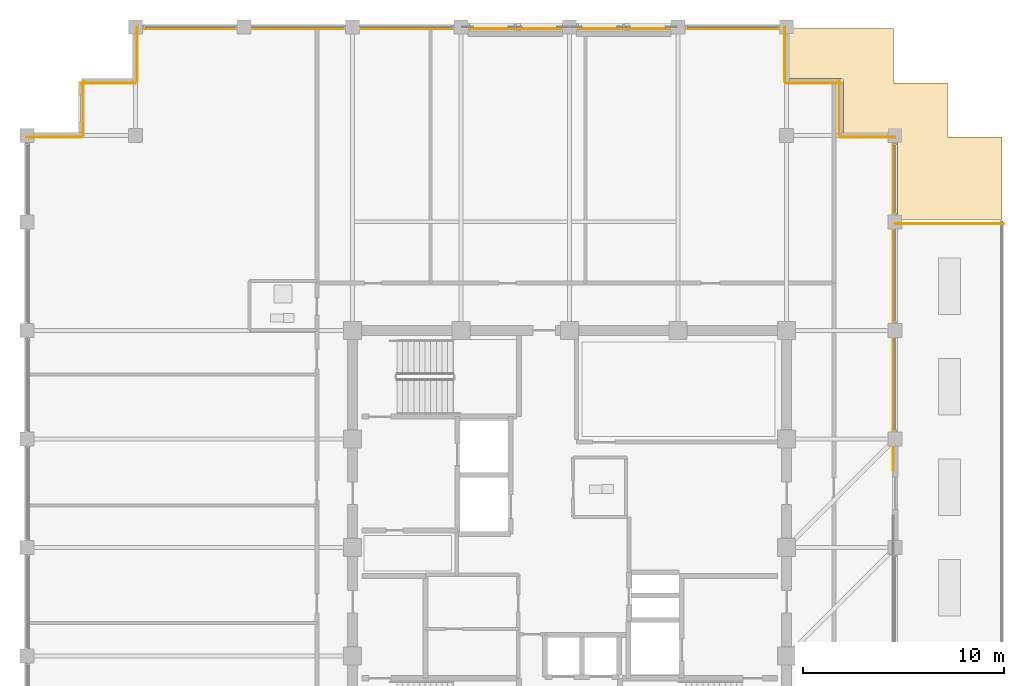
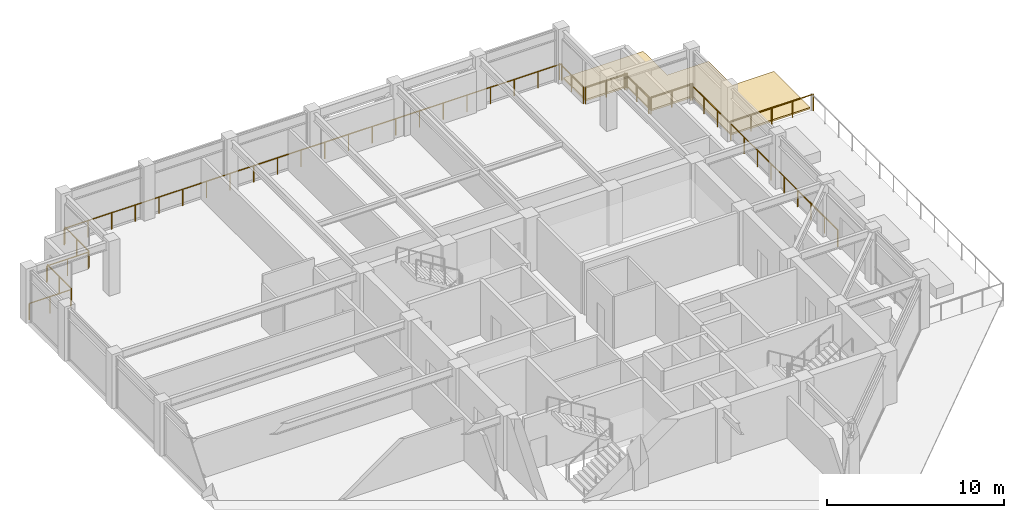
# One storey, part 32 of 34: 11 railings, 1 covering.
"""IFC4 building model written with IfcOpenShell, lengths in metres."""

from ifc_helpers import new_model, si_unit, direction, frame, origin, origin_2d, place, context, subcontext, project, spatial, polyline, circle, outline, extrude, material, layer, layer_set, type_object, element, save


model = new_model("IFC4")

# Units and contexts
model_context = context("Model", 3, precision=1e-05, world=origin(), true_north=direction((0.0, 1.0)))
body_context = subcontext(model_context, "Body", "Model", "MODEL_VIEW")
ifc_project = project(units=[si_unit("LENGTHUNIT", "METRE"), si_unit("AREAUNIT", "SQUARE_METRE"), si_unit("VOLUMEUNIT", "CUBIC_METRE"), si_unit("PLANEANGLEUNIT", "RADIAN"), si_unit("MASSUNIT", "GRAM", prefix="KILO")], contexts=[model_context])

# Site, building, storey
site_placement = place(None, origin())
site = spatial("IfcSite", under=ifc_project, at=site_placement, CompositionType="ELEMENT")
building_placement = place(site_placement, origin())
building = spatial("IfcBuilding", under=site, at=building_placement, Name="Surkhivell Harbour Commons", CompositionType="ELEMENT")
storey_placement = place(building_placement, frame((0.0, 0.0, 258.75)))
storey = spatial("IfcBuildingStorey", under=building, at=storey_placement, Name="L67", CompositionType="ELEMENT", Elevation=258.75)

# Covering
ifc_material_1 = material(Name="Inverted elastomeric waterproofing membrane and rigid insulation", Category="other")
ifc_layer = layer(ifc_material_1, 0.1201171875)
ifc_layer_set = layer_set([ifc_layer], Name="Inverted elastomeric waterproofing membrane and rigid insulation")
covering_type = type_object("IfcCoveringType", Name="COV-ROOF-MEM", PredefinedType="ROOFING", material=ifc_layer_set)
covering_placement = place(storey_placement, origin())
element("IfcCovering", 1, at=covering_placement, inside=storey, type_object=covering_type, Name="L67 Setback Waterproofing Roof Membrane 1-1", PredefinedType="ROOFING", context=body_context, shape_type="SweptSolid", body=[
    extrude(outline(polyline([(16.1201171875, 25.820068359375), (10.929931640625, 25.820068359375), (10.929931640625, 23.330078125), (13.501953125, 23.330078125), (13.5126953125, 23.32958984375), (13.525390625, 23.32763671875), (13.537841796875, 23.324462890625), (13.5498046875, 23.3203125), (13.561279296875, 23.314697265625), (13.572265625, 23.30810546875), (13.58251953125, 23.300537109375), (13.592041015625, 23.2919921875), (13.6005859375, 23.282470703125), (13.608154296875, 23.272216796875), (13.61474609375, 23.26123046875), (13.6201171875, 23.249755859375), (13.62451171875, 23.23779296875), (13.627685546875, 23.225341796875), (13.62939453125, 23.212890625), (13.6298828125, 23.201904296875), (13.6298828125, 20.6298828125), (16.201904296875, 20.6298828125), (16.212890625, 20.62939453125), (16.225341796875, 20.627685546875), (16.23779296875, 20.62451171875), (16.249755859375, 20.6201171875), (16.26123046875, 20.61474609375), (16.272216796875, 20.608154296875), (16.282470703125, 20.6005859375), (16.2919921875, 20.592041015625), (16.300537109375, 20.58251953125), (16.30810546875, 20.572265625), (16.314697265625, 20.561279296875), (16.3203125, 20.5498046875), (16.324462890625, 20.537841796875), (16.32763671875, 20.525390625), (16.32958984375, 20.5126953125), (16.330078125, 20.501953125), (16.330078125, 16.330078125), (21.52001953125, 16.330078125), (21.52001953125, 20.419921875), (18.820068359375, 20.419921875), (18.820068359375, 23.1201171875), (16.1201171875, 23.1201171875), (16.1201171875, 25.820068359375)])), origin(), (0.0, 0.0, 1.0), 0.1201171875),
])

# Railings
ifc_material_2 = material(Name="Laminated safety glass and stainless steel S355 balustrade", Category="steel")
railing_type = type_object("IfcRailingType", Name="RAL-BAL-1150", PredefinedType="BALUSTRADE", material=ifc_material_2)
railing_1_placement = place(storey_placement, frame((16.110107421875, 3.85009765625, 0.0)))
element("IfcRailing", 2, at=railing_1_placement, inside=storey, type_object=railing_type, Name="L67 Perimeter Safety Guard 03B", PredefinedType="BALUSTRADE", context=body_context, shape_type="SweptSolid", body=[
    extrude(circle(Radius=0.02392578125, at=origin_2d()), frame((0.0, 0.0, 1.1259765625), z_axis=(0.0, 1.0, 0.0), x_axis=(-1.0, 0.0, 0.0)), (0.0, 0.0, 1.0), 16.599853515625),
    extrude(circle(Radius=0.02099609375, at=origin_2d()), origin(), (0.0, 0.0, 1.0), 1.101806640625),
    extrude(circle(Radius=0.02099609375, at=origin_2d()), frame((0.0, 1.509033203125, 0.0)), (0.0, 0.0, 1.0), 1.101806640625),
    extrude(circle(Radius=0.02099609375, at=origin_2d()), frame((0.0, 3.01806640625, 0.0)), (0.0, 0.0, 1.0), 1.101806640625),
    extrude(circle(Radius=0.02099609375, at=origin_2d()), frame((0.0, 4.52734375, 0.0)), (0.0, 0.0, 1.0), 1.101806640625),
    extrude(circle(Radius=0.02099609375, at=origin_2d()), frame((0.0, 6.036376953125, 0.0)), (0.0, 0.0, 1.0), 1.101806640625),
    extrude(circle(Radius=0.02099609375, at=origin_2d()), frame((0.0, 7.54541015625, 0.0)), (0.0, 0.0, 1.0), 1.101806640625),
    extrude(circle(Radius=0.02099609375, at=origin_2d()), frame((0.0, 9.054443359375, 0.0)), (0.0, 0.0, 1.0), 1.101806640625),
    extrude(circle(Radius=0.02099609375, at=origin_2d()), frame((0.0, 10.5634765625, 0.0)), (0.0, 0.0, 1.0), 1.101806640625),
    extrude(circle(Radius=0.02099609375, at=origin_2d()), frame((0.0, 12.072509765625, 0.0)), (0.0, 0.0, 1.0), 1.101806640625),
    extrude(circle(Radius=0.02099609375, at=origin_2d()), frame((0.0, 13.581787109375, 0.0)), (0.0, 0.0, 1.0), 1.101806640625),
    extrude(circle(Radius=0.02099609375, at=origin_2d()), frame((0.0, 15.0908203125, 0.0)), (0.0, 0.0, 1.0), 1.101806640625),
    extrude(circle(Radius=0.02099609375, at=origin_2d()), frame((0.0, 16.599853515625, 0.0)), (0.0, 0.0, 1.0), 1.101806640625),
])
railing_2_placement = place(storey_placement, frame((16.199951171875, 20.409912109375, 0.0)))
element("IfcRailing", 3, at=railing_2_placement, inside=storey, type_object=railing_type, Name="L67 Perimeter Safety Guard 04", PredefinedType="BALUSTRADE", context=body_context, shape_type="SweptSolid", body=[
    extrude(circle(Radius=0.02392578125, at=origin_2d()), frame((0.0, 0.0, 1.1259765625), z_axis=(-1.0, 0.0, 0.0), x_axis=(0.0, -1.0, 0.0)), (0.0, 0.0, 1.0), 2.699951171875),
    extrude(circle(Radius=0.02099609375, at=origin_2d()), origin(), (0.0, 0.0, 1.0), 1.101806640625),
    extrude(circle(Radius=0.02099609375, at=origin_2d()), frame((-1.35009765625, 0.0, 0.0)), (0.0, 0.0, 1.0), 1.101806640625),
    extrude(circle(Radius=0.02099609375, at=origin_2d()), frame((-2.699951171875, 0.0, 0.0)), (0.0, 0.0, 1.0), 1.101806640625),
])
railing_3_placement = place(storey_placement, frame((13.409912109375, 20.5, 0.0)))
element("IfcRailing", 4, at=railing_3_placement, inside=storey, type_object=railing_type, Name="L67 Perimeter Safety Guard 05", PredefinedType="BALUSTRADE", context=body_context, shape_type="SweptSolid", body=[
    extrude(circle(Radius=0.02392578125, at=origin_2d()), frame((0.0, 0.0, 1.1259765625), z_axis=(0.0, 1.0, 0.0), x_axis=(-1.0, 0.0, 0.0)), (0.0, 0.0, 1.0), 2.699951171875),
    extrude(circle(Radius=0.02099609375, at=origin_2d()), origin(), (0.0, 0.0, 1.0), 1.101806640625),
    extrude(circle(Radius=0.02099609375, at=origin_2d()), frame((0.0, 1.35009765625, 0.0)), (0.0, 0.0, 1.0), 1.101806640625),
    extrude(circle(Radius=0.02099609375, at=origin_2d()), frame((0.0, 2.699951171875, 0.0)), (0.0, 0.0, 1.0), 1.101806640625),
])
railing_4_placement = place(storey_placement, frame((13.5, 23.110107421875, 0.0)))
element("IfcRailing", 5, at=railing_4_placement, inside=storey, type_object=railing_type, Name="L67 Perimeter Safety Guard 06", PredefinedType="BALUSTRADE", context=body_context, shape_type="SweptSolid", body=[
    extrude(circle(Radius=0.02392578125, at=origin_2d()), frame((0.0, 0.0, 1.1259765625), z_axis=(-1.0, 0.0, 0.0), x_axis=(0.0, -1.0, 0.0)), (0.0, 0.0, 1.0), 2.699951171875),
    extrude(circle(Radius=0.02099609375, at=origin_2d()), origin(), (0.0, 0.0, 1.0), 1.101806640625),
    extrude(circle(Radius=0.02099609375, at=origin_2d()), frame((-1.35009765625, 0.0, 0.0)), (0.0, 0.0, 1.0), 1.101806640625),
    extrude(circle(Radius=0.02099609375, at=origin_2d()), frame((-2.699951171875, 0.0, 0.0)), (0.0, 0.0, 1.0), 1.101806640625),
])
railing_5_placement = place(storey_placement, frame((10.7099609375, 23.199951171875, 0.0)))
element("IfcRailing", 6, at=railing_5_placement, inside=storey, type_object=railing_type, Name="L67 Perimeter Safety Guard 07", PredefinedType="BALUSTRADE", context=body_context, shape_type="SweptSolid", body=[
    extrude(circle(Radius=0.02392578125, at=origin_2d()), frame((0.0, 0.0, 1.1259765625), z_axis=(0.0, 1.0, 0.0), x_axis=(-1.0, 0.0, 0.0)), (0.0, 0.0, 1.0), 2.699951171875),
    extrude(circle(Radius=0.02099609375, at=origin_2d()), origin(), (0.0, 0.0, 1.0), 1.101806640625),
    extrude(circle(Radius=0.02099609375, at=origin_2d()), frame((0.0, 1.35009765625, 0.0)), (0.0, 0.0, 1.0), 1.101806640625),
    extrude(circle(Radius=0.02099609375, at=origin_2d()), frame((0.0, 2.699951171875, 0.0)), (0.0, 0.0, 1.0), 1.101806640625),
])
railing_6_placement = place(storey_placement, frame((10.800048828125, 25.81005859375, 0.0)))
element("IfcRailing", 7, at=railing_6_placement, inside=storey, type_object=railing_type, Name="L67 Perimeter Safety Guard 08", PredefinedType="BALUSTRADE", context=body_context, shape_type="SweptSolid", body=[
    extrude(circle(Radius=0.02392578125, at=origin_2d()), frame((0.0, 0.0, 1.1259765625), z_axis=(-1.0, 0.0, 0.0), x_axis=(0.0, -1.0, 0.0)), (0.0, 0.0, 1.0), 32.400146484375),
    extrude(circle(Radius=0.02099609375, at=origin_2d()), origin(), (0.0, 0.0, 1.0), 1.101806640625),
    extrude(circle(Radius=0.02099609375, at=origin_2d()), frame((-1.54296875, 0.0, 0.0)), (0.0, 0.0, 1.0), 1.101806640625),
    extrude(circle(Radius=0.02099609375, at=origin_2d()), frame((-3.085693359375, 0.0, 0.0)), (0.0, 0.0, 1.0), 1.101806640625),
    extrude(circle(Radius=0.02099609375, at=origin_2d()), frame((-4.628662109375, 0.0, 0.0)), (0.0, 0.0, 1.0), 1.101806640625),
    extrude(circle(Radius=0.02099609375, at=origin_2d()), frame((-6.17138671875, 0.0, 0.0)), (0.0, 0.0, 1.0), 1.101806640625),
    extrude(circle(Radius=0.02099609375, at=origin_2d()), frame((-7.71435546875, 0.0, 0.0)), (0.0, 0.0, 1.0), 1.101806640625),
    extrude(circle(Radius=0.02099609375, at=origin_2d()), frame((-9.257080078125, 0.0, 0.0)), (0.0, 0.0, 1.0), 1.101806640625),
    extrude(circle(Radius=0.02099609375, at=origin_2d()), frame((-10.800048828125, 0.0, 0.0)), (0.0, 0.0, 1.0), 1.101806640625),
    extrude(circle(Radius=0.02099609375, at=origin_2d()), frame((-12.343017578125, 0.0, 0.0)), (0.0, 0.0, 1.0), 1.101806640625),
    extrude(circle(Radius=0.02099609375, at=origin_2d()), frame((-13.8857421875, 0.0, 0.0)), (0.0, 0.0, 1.0), 1.101806640625),
    extrude(circle(Radius=0.02099609375, at=origin_2d()), frame((-15.4287109375, 0.0, 0.0)), (0.0, 0.0, 1.0), 1.101806640625),
    extrude(circle(Radius=0.02099609375, at=origin_2d()), frame((-16.971435546875, 0.0, 0.0)), (0.0, 0.0, 1.0), 1.101806640625),
    extrude(circle(Radius=0.02099609375, at=origin_2d()), frame((-18.514404296875, 0.0, 0.0)), (0.0, 0.0, 1.0), 1.101806640625),
    extrude(circle(Radius=0.02099609375, at=origin_2d()), frame((-20.05712890625, 0.0, 0.0)), (0.0, 0.0, 1.0), 1.101806640625),
    extrude(circle(Radius=0.02099609375, at=origin_2d()), frame((-21.60009765625, 0.0, 0.0)), (0.0, 0.0, 1.0), 1.101806640625),
    extrude(circle(Radius=0.02099609375, at=origin_2d()), frame((-23.14306640625, 0.0, 0.0)), (0.0, 0.0, 1.0), 1.101806640625),
    extrude(circle(Radius=0.02099609375, at=origin_2d()), frame((-24.685791015625, 0.0, 0.0)), (0.0, 0.0, 1.0), 1.101806640625),
    extrude(circle(Radius=0.02099609375, at=origin_2d()), frame((-26.228759765625, 0.0, 0.0)), (0.0, 0.0, 1.0), 1.101806640625),
    extrude(circle(Radius=0.02099609375, at=origin_2d()), frame((-27.771484375, 0.0, 0.0)), (0.0, 0.0, 1.0), 1.101806640625),
    extrude(circle(Radius=0.02099609375, at=origin_2d()), frame((-29.314453125, 0.0, 0.0)), (0.0, 0.0, 1.0), 1.101806640625),
    extrude(circle(Radius=0.02099609375, at=origin_2d()), frame((-30.857177734375, 0.0, 0.0)), (0.0, 0.0, 1.0), 1.101806640625),
    extrude(circle(Radius=0.02099609375, at=origin_2d()), frame((-32.400146484375, 0.0, 0.0)), (0.0, 0.0, 1.0), 1.101806640625),
])
railing_7_placement = place(storey_placement, frame((-21.510009765625, 25.89990234375, 0.0)))
element("IfcRailing", 8, at=railing_7_placement, inside=storey, type_object=railing_type, Name="L67 Perimeter Safety Guard 09", PredefinedType="BALUSTRADE", context=body_context, shape_type="SweptSolid", body=[
    extrude(circle(Radius=0.02392578125, at=origin_2d()), frame((0.0, 0.0, 1.1259765625), z_axis=(0.0, -1.0, 0.0), x_axis=(1.0, 0.0, 0.0)), (0.0, 0.0, 1.0), 2.699951171875),
    extrude(circle(Radius=0.02099609375, at=origin_2d()), origin(), (0.0, 0.0, 1.0), 1.101806640625),
    extrude(circle(Radius=0.02099609375, at=origin_2d()), frame((0.0, -1.35009765625, 0.0)), (0.0, 0.0, 1.0), 1.101806640625),
    extrude(circle(Radius=0.02099609375, at=origin_2d()), frame((0.0, -2.699951171875, 0.0)), (0.0, 0.0, 1.0), 1.101806640625),
])
railing_8_placement = place(storey_placement, frame((-21.60009765625, 23.110107421875, 0.0)))
element("IfcRailing", 9, at=railing_8_placement, inside=storey, type_object=railing_type, Name="L67 Perimeter Safety Guard 10", PredefinedType="BALUSTRADE", context=body_context, shape_type="SweptSolid", body=[
    extrude(circle(Radius=0.02392578125, at=origin_2d()), frame((0.0, 0.0, 1.1259765625), z_axis=(-1.0, 0.0, 0.0), x_axis=(0.0, -1.0, 0.0)), (0.0, 0.0, 1.0), 2.699951171875),
    extrude(circle(Radius=0.02099609375, at=origin_2d()), origin(), (0.0, 0.0, 1.0), 1.101806640625),
    extrude(circle(Radius=0.02099609375, at=origin_2d()), frame((-1.35009765625, 0.0, 0.0)), (0.0, 0.0, 1.0), 1.101806640625),
    extrude(circle(Radius=0.02099609375, at=origin_2d()), frame((-2.699951171875, 0.0, 0.0)), (0.0, 0.0, 1.0), 1.101806640625),
])
railing_9_placement = place(storey_placement, frame((-24.2099609375, 23.199951171875, 0.0)))
element("IfcRailing", 10, at=railing_9_placement, inside=storey, type_object=railing_type, Name="L67 Perimeter Safety Guard 11", PredefinedType="BALUSTRADE", context=body_context, shape_type="SweptSolid", body=[
    extrude(circle(Radius=0.02392578125, at=origin_2d()), frame((0.0, 0.0, 1.1259765625), z_axis=(0.0, -1.0, 0.0), x_axis=(1.0, 0.0, 0.0)), (0.0, 0.0, 1.0), 2.699951171875),
    extrude(circle(Radius=0.02099609375, at=origin_2d()), origin(), (0.0, 0.0, 1.0), 1.101806640625),
    extrude(circle(Radius=0.02099609375, at=origin_2d()), frame((0.0, -1.35009765625, 0.0)), (0.0, 0.0, 1.0), 1.101806640625),
    extrude(circle(Radius=0.02099609375, at=origin_2d()), frame((0.0, -2.699951171875, 0.0)), (0.0, 0.0, 1.0), 1.101806640625),
])
railing_10_placement = place(storey_placement, frame((-24.300048828125, 20.409912109375, 0.0)))
element("IfcRailing", 11, at=railing_10_placement, inside=storey, type_object=railing_type, Name="L67 Perimeter Safety Guard 12", PredefinedType="BALUSTRADE", context=body_context, shape_type="SweptSolid", body=[
    extrude(circle(Radius=0.02392578125, at=origin_2d()), frame((0.0, 0.0, 1.1259765625), z_axis=(-1.0, 0.0, 0.0), x_axis=(0.0, -1.0, 0.0)), (0.0, 0.0, 1.0), 2.699951171875),
    extrude(circle(Radius=0.02099609375, at=origin_2d()), origin(), (0.0, 0.0, 1.0), 1.101806640625),
    extrude(circle(Radius=0.02099609375, at=origin_2d()), frame((-1.35009765625, 0.0, 0.0)), (0.0, 0.0, 1.0), 1.101806640625),
    extrude(circle(Radius=0.02099609375, at=origin_2d()), frame((-2.699951171875, 0.0, 0.0)), (0.0, 0.0, 1.0), 1.101806640625),
])
railing_11_placement = place(storey_placement, frame((21.60009765625, 16.1201171875, 0.0)))
element("IfcRailing", 12, at=railing_11_placement, inside=storey, type_object=railing_type, Name="L67 Sky-Garden Terrace Balustrade 3", PredefinedType="BALUSTRADE", context=body_context, shape_type="SweptSolid", body=[
    extrude(circle(Radius=0.02392578125, at=origin_2d()), frame((0.0, 0.0, 1.1259765625), z_axis=(-1.0, 0.0, 0.0), x_axis=(0.0, -1.0, 0.0)), (0.0, 0.0, 1.0), 5.400146484375),
    extrude(circle(Radius=0.02099609375, at=origin_2d()), origin(), (0.0, 0.0, 1.0), 1.101806640625),
    extrude(circle(Radius=0.02099609375, at=origin_2d()), frame((-1.35009765625, 0.0, 0.0)), (0.0, 0.0, 1.0), 1.101806640625),
    extrude(circle(Radius=0.02099609375, at=origin_2d()), frame((-2.7001953125, 0.0, 0.0)), (0.0, 0.0, 1.0), 1.101806640625),
    extrude(circle(Radius=0.02099609375, at=origin_2d()), frame((-4.050048828125, 0.0, 0.0)), (0.0, 0.0, 1.0), 1.101806640625),
    extrude(circle(Radius=0.02099609375, at=origin_2d()), frame((-5.400146484375, 0.0, 0.0)), (0.0, 0.0, 1.0), 1.101806640625),
])

save(model, "model.ifc")
